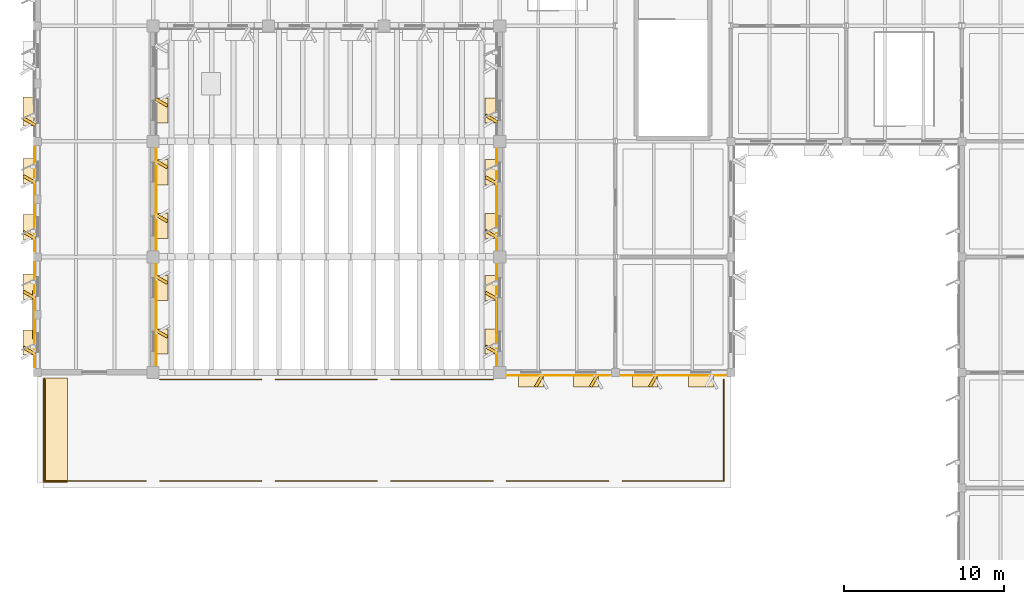
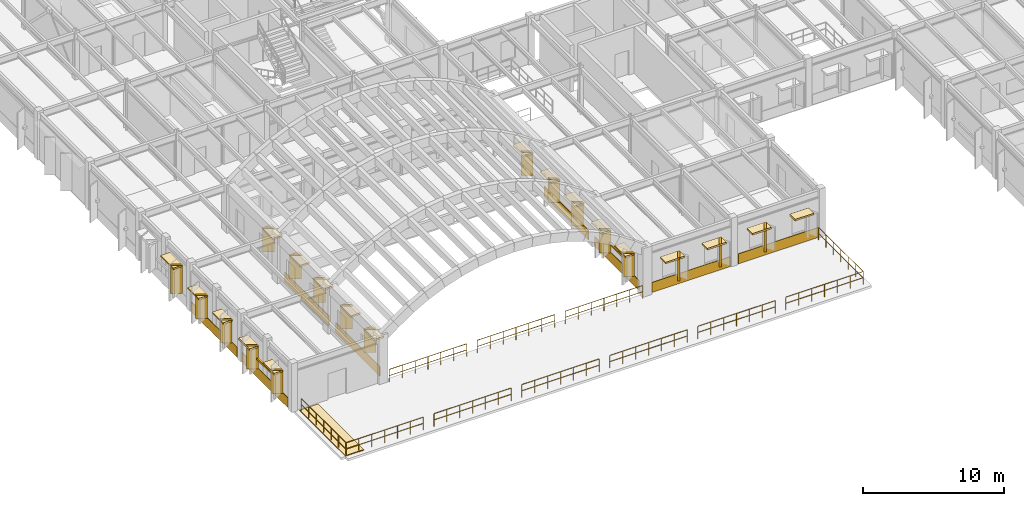
# One storey, part 70 of 85: 46 coverings, 11 railings, 2 shading devices.
"""IFC4 building model written with IfcOpenShell, lengths in metres."""

from ifc_helpers import new_model, si_unit, direction, frame, frame_2d, origin, origin_2d, place, context, subcontext, project, spatial, polyline, rectangle, circle, outline, extrude, material, layer, layer_set, type_object, element, save


model = new_model("IFC4")

# Units and contexts
model_context = context("Model", 3, precision=1e-05, world=origin(), true_north=direction((0.0, 1.0)))
body_context = subcontext(model_context, "Body", "Model", "MODEL_VIEW")
ifc_project = project(units=[si_unit("LENGTHUNIT", "METRE"), si_unit("AREAUNIT", "SQUARE_METRE"), si_unit("VOLUMEUNIT", "CUBIC_METRE"), si_unit("PLANEANGLEUNIT", "RADIAN"), si_unit("MASSUNIT", "GRAM", prefix="KILO")], contexts=[model_context])

# Site, building, storey
site_placement = place(None, origin())
site = spatial("IfcSite", under=ifc_project, at=site_placement, CompositionType="ELEMENT")
building_placement = place(site_placement, origin())
building = spatial("IfcBuilding", under=site, at=building_placement, Name="Sillqori Civic Hall", CompositionType="ELEMENT")
storey_placement = place(building_placement, frame((0.0, 0.0, 9.89990234375)))
storey = spatial("IfcBuildingStorey", under=building, at=storey_placement, Name="L03", CompositionType="ELEMENT", Elevation=9.89990234375)

# Coverings
ifc_material_1 = material(Name="Cochabamba Honed Limestone Cladding", Category="masonry")
ifc_layer_1 = layer(ifc_material_1, 0.044921875)
ifc_layer_set_1 = layer_set([ifc_layer_1], Name="Cochabamba Honed Limestone Cladding")
covering_type_1 = type_object("IfcCoveringType", Name="COV-CLAD-LIME", PredefinedType="CLADDING", material=ifc_layer_set_1)
covering_1_placement = place(storey_placement, frame((7.010009765625, 21.929931640625, 0.0400390625), z_axis=(0.0, 0.0, 1.0), x_axis=(0.0, 1.0, 0.0)))
element("IfcCovering", 1, at=covering_1_placement, inside=storey, type_object=covering_type_1, Name="L03 limestone spandrel cladding L03-01-03-W", PredefinedType="CLADDING", context=body_context, shape_type="SweptSolid", body=[
    extrude(rectangle(XDim=6.5400390625, YDim=0.044921875, at=frame_2d((3.27001953125, 0.0))), origin(), (0.0, 0.0, 1.0), 0.860107421875),
])
covering_2_placement = place(storey_placement, frame((7.050048828125, 22.738037109375, 0.830078125), z_axis=(0.0, 0.0, 1.0), x_axis=(-0.865989465428, 0.500062241894, 0.0)))
element("IfcCovering", 2, at=covering_2_placement, inside=storey, type_object=covering_type_1, Name="Sawtooth limestone angled reveal cheek L03-01-03-W.1", PredefinedType="CLADDING", context=body_context, shape_type="SweptSolid", body=[
    extrude(rectangle(XDim=0.85009765625, YDim=0.179931640625, at=frame_2d((0.425048828125, 0.0))), origin(), (0.0, 0.0, 1.0), 2.0),
])
covering_3_placement = place(storey_placement, frame((6.669921875, 22.677978515625, 2.690185546875), z_axis=(0.0, 0.0, 1.0), x_axis=(0.0, 1.0, 0.0)))
element("IfcCovering", 3, at=covering_3_placement, inside=storey, type_object=covering_type_1, Name="Sawtooth limestone window hood L03-01-03-W.1", PredefinedType="CLADDING", context=body_context, shape_type="SweptSolid", body=[
    extrude(rectangle(XDim=1.56005859375, YDim=0.780029296875, at=frame_2d((0.780029296875, 0.0))), origin(), (0.0, 0.0, 1.0), 0.139892578125),
])
covering_4_placement = place(storey_placement, frame((7.050048828125, 26.221923828125, 0.830078125), z_axis=(0.0, 0.0, 1.0), x_axis=(-0.865989465428, 0.500062241894, 0.0)))
element("IfcCovering", 4, at=covering_4_placement, inside=storey, type_object=covering_type_1, Name="Sawtooth limestone angled reveal cheek L03-01-03-W.2", PredefinedType="CLADDING", context=body_context, shape_type="SweptSolid", body=[
    extrude(rectangle(XDim=0.85009765625, YDim=0.179931640625, at=frame_2d((0.425048828125, 0.0))), origin(), (0.0, 0.0, 1.0), 2.0),
])
covering_5_placement = place(storey_placement, frame((6.669921875, 26.162109375, 2.690185546875), z_axis=(0.0, 0.0, 1.0), x_axis=(0.0, 1.0, 0.0)))
element("IfcCovering", 5, at=covering_5_placement, inside=storey, type_object=covering_type_1, Name="Sawtooth limestone window hood L03-01-03-W.2", PredefinedType="CLADDING", context=body_context, shape_type="SweptSolid", body=[
    extrude(rectangle(XDim=1.559814453125, YDim=0.780029296875, at=frame_2d((0.77978515625, 0.0))), origin(), (0.0, 0.0, 1.0), 0.139892578125),
])
covering_6_placement = place(storey_placement, frame((14.590087890625, 28.344970703125, 0.0400390625), z_axis=(0.0, 0.0, 1.0), x_axis=(0.0, -1.0, 0.0)))
element("IfcCovering", 6, at=covering_6_placement, inside=storey, type_object=covering_type_1, Name="L03 limestone spandrel cladding L03-01-03-E", PredefinedType="CLADDING", context=body_context, shape_type="SweptSolid", body=[
    extrude(rectangle(XDim=6.2900390625, YDim=0.044921875, at=frame_2d((3.14501953125, 0.0))), origin(), (0.0, 0.0, 1.0), 0.860107421875),
])
covering_7_placement = place(storey_placement, frame((14.550048828125, 27.596923828125, 0.830078125), z_axis=(0.0, 0.0, 1.0), x_axis=(0.866113839764, -0.499846793097, 0.0)))
element("IfcCovering", 7, at=covering_7_placement, inside=storey, type_object=covering_type_1, Name="Sawtooth limestone angled reveal cheek L03-01-03-E.1", PredefinedType="CLADDING", context=body_context, shape_type="SweptSolid", body=[
    extrude(rectangle(XDim=0.849853515625, YDim=0.179931640625, at=frame_2d((0.4248046875, 0.0))), origin(), (0.0, 0.0, 1.0), 2.0),
])
covering_8_placement = place(storey_placement, frame((14.929931640625, 27.656982421875, 2.690185546875), z_axis=(0.0, 0.0, 1.0), x_axis=(0.0, -1.0, 0.0)))
element("IfcCovering", 8, at=covering_8_placement, inside=storey, type_object=covering_type_1, Name="Sawtooth limestone window hood L03-01-03-E.1", PredefinedType="CLADDING", context=body_context, shape_type="SweptSolid", body=[
    extrude(rectangle(XDim=1.56005859375, YDim=0.780029296875, at=frame_2d((0.780029296875, 0.0))), origin(), (0.0, 0.0, 1.0), 0.139892578125),
])
covering_9_placement = place(storey_placement, frame((14.550048828125, 24.242919921875, 0.830078125), z_axis=(0.0, 0.0, 1.0), x_axis=(0.866113839764, -0.499846793097, 0.0)))
element("IfcCovering", 9, at=covering_9_placement, inside=storey, type_object=covering_type_1, Name="Sawtooth limestone angled reveal cheek L03-01-03-E.2", PredefinedType="CLADDING", context=body_context, shape_type="SweptSolid", body=[
    extrude(rectangle(XDim=0.849853515625, YDim=0.179931640625, at=frame_2d((0.4248046875, 0.0))), origin(), (0.0, 0.0, 1.0), 2.0),
])
covering_10_placement = place(storey_placement, frame((14.929931640625, 24.302978515625, 2.690185546875), z_axis=(0.0, 0.0, 1.0), x_axis=(0.0, -1.0, 0.0)))
element("IfcCovering", 10, at=covering_10_placement, inside=storey, type_object=covering_type_1, Name="Sawtooth limestone window hood L03-01-03-E.2", PredefinedType="CLADDING", context=body_context, shape_type="SweptSolid", body=[
    extrude(rectangle(XDim=1.56005859375, YDim=0.780029296875, at=frame_2d((0.780029296875, 0.0))), origin(), (0.0, 0.0, 1.0), 0.139892578125),
])
covering_11_placement = place(storey_placement, frame((7.010009765625, 29.1298828125, 0.0400390625), z_axis=(0.0, 0.0, 1.0), x_axis=(0.0, 1.0, 0.0)))
element("IfcCovering", 11, at=covering_11_placement, inside=storey, type_object=covering_type_1, Name="L03 limestone spandrel cladding L03-01-04-W", PredefinedType="CLADDING", context=body_context, shape_type="SweptSolid", body=[
    extrude(rectangle(XDim=6.5400390625, YDim=0.044921875, at=frame_2d((3.27001953125, 0.0))), origin(), (0.0, 0.0, 1.0), 0.860107421875),
])
covering_12_placement = place(storey_placement, frame((7.050048828125, 29.93798828125, 0.830078125), z_axis=(0.0, 0.0, 1.0), x_axis=(-0.865989465428, 0.500062241894, 0.0)))
element("IfcCovering", 12, at=covering_12_placement, inside=storey, type_object=covering_type_1, Name="Sawtooth limestone angled reveal cheek L03-01-04-W.1", PredefinedType="CLADDING", context=body_context, shape_type="SweptSolid", body=[
    extrude(rectangle(XDim=0.85009765625, YDim=0.179931640625, at=frame_2d((0.425048828125, 0.0))), origin(), (0.0, 0.0, 1.0), 2.0),
])
covering_13_placement = place(storey_placement, frame((6.669921875, 29.8779296875, 2.690185546875), z_axis=(0.0, 0.0, 1.0), x_axis=(0.0, 1.0, 0.0)))
element("IfcCovering", 13, at=covering_13_placement, inside=storey, type_object=covering_type_1, Name="Sawtooth limestone window hood L03-01-04-W.1", PredefinedType="CLADDING", context=body_context, shape_type="SweptSolid", body=[
    extrude(rectangle(XDim=1.56005859375, YDim=0.780029296875, at=frame_2d((0.780029296875, 0.0))), origin(), (0.0, 0.0, 1.0), 0.139892578125),
])
covering_14_placement = place(storey_placement, frame((7.050048828125, 33.422119140625, 0.830078125), z_axis=(0.0, 0.0, 1.0), x_axis=(-0.866113839764, 0.499846793097, 0.0)))
element("IfcCovering", 14, at=covering_14_placement, inside=storey, type_object=covering_type_1, Name="Sawtooth limestone angled reveal cheek L03-01-04-W.2", PredefinedType="CLADDING", context=body_context, shape_type="SweptSolid", body=[
    extrude(rectangle(XDim=0.849853515625, YDim=0.179931640625, at=frame_2d((0.4248046875, 0.0))), origin(), (0.0, 0.0, 1.0), 2.0),
])
covering_15_placement = place(storey_placement, frame((6.669921875, 33.362060546875, 2.690185546875), z_axis=(0.0, 0.0, 1.0), x_axis=(0.0, 1.0, 0.0)))
element("IfcCovering", 15, at=covering_15_placement, inside=storey, type_object=covering_type_1, Name="Sawtooth limestone window hood L03-01-04-W.2", PredefinedType="CLADDING", context=body_context, shape_type="SweptSolid", body=[
    extrude(rectangle(XDim=1.56005859375, YDim=0.780029296875, at=frame_2d((0.780029296875, 0.0))), origin(), (0.0, 0.0, 1.0), 0.139892578125),
])
covering_16_placement = place(storey_placement, frame((14.590087890625, 35.544921875, 0.0400390625), z_axis=(0.0, 0.0, 1.0), x_axis=(0.0, -1.0, 0.0)))
element("IfcCovering", 16, at=covering_16_placement, inside=storey, type_object=covering_type_1, Name="L03 limestone spandrel cladding L03-01-04-E", PredefinedType="CLADDING", context=body_context, shape_type="SweptSolid", body=[
    extrude(rectangle(XDim=6.2900390625, YDim=0.044921875, at=frame_2d((3.14501953125, 0.0))), origin(), (0.0, 0.0, 1.0), 0.860107421875),
])
covering_17_placement = place(storey_placement, frame((14.550048828125, 34.797119140625, 0.830078125), z_axis=(0.0, 0.0, 1.0), x_axis=(0.865989465428, -0.500062241894, 0.0)))
element("IfcCovering", 17, at=covering_17_placement, inside=storey, type_object=covering_type_1, Name="Sawtooth limestone angled reveal cheek L03-01-04-E.1", PredefinedType="CLADDING", context=body_context, shape_type="SweptSolid", body=[
    extrude(rectangle(XDim=0.85009765625, YDim=0.179931640625, at=frame_2d((0.425048828125, 0.0))), origin(), (0.0, 0.0, 1.0), 2.0),
])
covering_18_placement = place(storey_placement, frame((14.929931640625, 34.85693359375, 2.690185546875), z_axis=(0.0, 0.0, 1.0), x_axis=(0.0, -1.0, 0.0)))
element("IfcCovering", 18, at=covering_18_placement, inside=storey, type_object=covering_type_1, Name="Sawtooth limestone window hood L03-01-04-E.1", PredefinedType="CLADDING", context=body_context, shape_type="SweptSolid", body=[
    extrude(rectangle(XDim=1.559814453125, YDim=0.780029296875, at=frame_2d((0.77978515625, 0.0))), origin(), (0.0, 0.0, 1.0), 0.139892578125),
])
covering_19_placement = place(storey_placement, frame((14.550048828125, 31.443115234375, 0.830078125), z_axis=(0.0, 0.0, 1.0), x_axis=(0.865989465428, -0.500062241894, 0.0)))
element("IfcCovering", 19, at=covering_19_placement, inside=storey, type_object=covering_type_1, Name="Sawtooth limestone angled reveal cheek L03-01-04-E.2", PredefinedType="CLADDING", context=body_context, shape_type="SweptSolid", body=[
    extrude(rectangle(XDim=0.85009765625, YDim=0.179931640625, at=frame_2d((0.425048828125, 0.0))), origin(), (0.0, 0.0, 1.0), 2.0),
])
covering_20_placement = place(storey_placement, frame((14.929931640625, 31.5029296875, 2.690185546875), z_axis=(0.0, 0.0, 1.0), x_axis=(0.0, -1.0, 0.0)))
element("IfcCovering", 20, at=covering_20_placement, inside=storey, type_object=covering_type_1, Name="Sawtooth limestone window hood L03-01-04-E.2", PredefinedType="CLADDING", context=body_context, shape_type="SweptSolid", body=[
    extrude(rectangle(XDim=1.559814453125, YDim=0.780029296875, at=frame_2d((0.77978515625, 0.0))), origin(), (0.0, 0.0, 1.0), 0.139892578125),
])
covering_21_placement = place(storey_placement, frame((7.050048828125, 37.012939453125, 0.830078125), z_axis=(0.0, 0.0, 1.0), x_axis=(-0.865989465428, 0.500062241894, 0.0)))
element("IfcCovering", 21, at=covering_21_placement, inside=storey, type_object=covering_type_1, Name="Sawtooth limestone angled reveal cheek L03-01-05-W.1", PredefinedType="CLADDING", context=body_context, shape_type="SweptSolid", body=[
    extrude(rectangle(XDim=0.85009765625, YDim=0.179931640625, at=frame_2d((0.425048828125, 0.0))), origin(), (0.0, 0.0, 1.0), 2.449951171875),
])
covering_22_placement = place(storey_placement, frame((6.669921875, 36.952880859375, 3.14013671875), z_axis=(0.0, 0.0, 1.0), x_axis=(0.0, 1.0, 0.0)))
element("IfcCovering", 22, at=covering_22_placement, inside=storey, type_object=covering_type_1, Name="Sawtooth limestone window hood L03-01-05-W.1", PredefinedType="CLADDING", context=body_context, shape_type="SweptSolid", body=[
    extrude(rectangle(XDim=1.81005859375, YDim=0.780029296875, at=frame_2d((0.905029296875, 0.0))), origin(), (0.0, 0.0, 1.0), 0.139892578125),
])
covering_23_placement = place(storey_placement, frame((14.550048828125, 38.64306640625, 0.830078125), z_axis=(0.0, 0.0, 1.0), x_axis=(0.865989465428, -0.500062241894, 0.0)))
element("IfcCovering", 23, at=covering_23_placement, inside=storey, type_object=covering_type_1, Name="Sawtooth limestone angled reveal cheek L03-01-05-E.2", PredefinedType="CLADDING", context=body_context, shape_type="SweptSolid", body=[
    extrude(rectangle(XDim=0.85009765625, YDim=0.179931640625, at=frame_2d((0.425048828125, 0.0))), origin(), (0.0, 0.0, 1.0), 2.0),
])
covering_24_placement = place(storey_placement, frame((14.929931640625, 38.702880859375, 2.690185546875), z_axis=(0.0, 0.0, 1.0), x_axis=(0.0, -1.0, 0.0)))
element("IfcCovering", 24, at=covering_24_placement, inside=storey, type_object=covering_type_1, Name="Sawtooth limestone window hood L03-01-05-E.2", PredefinedType="CLADDING", context=body_context, shape_type="SweptSolid", body=[
    extrude(rectangle(XDim=1.559814453125, YDim=0.780029296875, at=frame_2d((0.77978515625, 0.0))), origin(), (0.0, 0.0, 1.0), 0.139892578125),
])
covering_25_placement = place(storey_placement, frame((42.8701171875, 21.409912109375, 0.0400390625), z_axis=(0.0, 0.0, 1.0), x_axis=(-1.0, 0.0, 0.0)))
element("IfcCovering", 25, at=covering_25_placement, inside=storey, type_object=covering_type_1, Name="L03 limestone spandrel cladding L03-05-03-S", PredefinedType="CLADDING", context=body_context, shape_type="SweptSolid", body=[
    extrude(rectangle(XDim=6.4150390625, YDim=0.044921875, at=frame_2d((3.20751953125, 0.0))), origin(), (0.0, 0.0, 1.0), 0.860107421875),
])
covering_26_placement = place(storey_placement, frame((42.092041015625, 21.449951171875, 0.830078125), z_axis=(0.0, 0.0, 1.0), x_axis=(-0.500062241894, -0.865989465428, 0.0)))
element("IfcCovering", 26, at=covering_26_placement, inside=storey, type_object=covering_type_1, Name="Sawtooth limestone angled reveal cheek L03-05-03-S.1", PredefinedType="CLADDING", context=body_context, shape_type="SweptSolid", body=[
    extrude(rectangle(XDim=0.85009765625, YDim=0.179931640625, at=frame_2d((0.425048828125, 0.0))), origin(), (0.0, 0.0, 1.0), 2.0),
])
covering_27_placement = place(storey_placement, frame((42.152099609375, 21.070068359375, 2.690185546875), z_axis=(0.0, 0.0, 1.0), x_axis=(-1.0, 0.0, 0.0)))
element("IfcCovering", 27, at=covering_27_placement, inside=storey, type_object=covering_type_1, Name="Sawtooth limestone window hood L03-05-03-S.1", PredefinedType="CLADDING", context=body_context, shape_type="SweptSolid", body=[
    extrude(rectangle(XDim=1.56005859375, YDim=0.780029296875, at=frame_2d((0.780029296875, 0.0))), origin(), (0.0, 0.0, 1.0), 0.139892578125),
])
covering_28_placement = place(storey_placement, frame((38.673095703125, 21.449951171875, 0.830078125), z_axis=(0.0, 0.0, 1.0), x_axis=(-0.500062241894, -0.865989465428, 0.0)))
element("IfcCovering", 28, at=covering_28_placement, inside=storey, type_object=covering_type_1, Name="Sawtooth limestone angled reveal cheek L03-05-03-S.2", PredefinedType="CLADDING", context=body_context, shape_type="SweptSolid", body=[
    extrude(rectangle(XDim=0.85009765625, YDim=0.179931640625, at=frame_2d((0.425048828125, 0.0))), origin(), (0.0, 0.0, 1.0), 2.0),
])
covering_29_placement = place(storey_placement, frame((38.73291015625, 21.070068359375, 2.690185546875), z_axis=(0.0, 0.0, 1.0), x_axis=(-1.0, 0.0, 0.0)))
element("IfcCovering", 29, at=covering_29_placement, inside=storey, type_object=covering_type_1, Name="Sawtooth limestone window hood L03-05-03-S.2", PredefinedType="CLADDING", context=body_context, shape_type="SweptSolid", body=[
    extrude(rectangle(XDim=1.559814453125, YDim=0.780029296875, at=frame_2d((0.77978515625, 0.0))), origin(), (0.0, 0.0, 1.0), 0.139892578125),
])
covering_30_placement = place(storey_placement, frame((35.81005859375, 22.054931640625, 0.0400390625), z_axis=(0.0, 0.0, 1.0), x_axis=(0.0, 1.0, 0.0)))
element("IfcCovering", 30, at=covering_30_placement, inside=storey, type_object=covering_type_1, Name="L03 limestone spandrel cladding L03-05-03-W", PredefinedType="CLADDING", context=body_context, shape_type="SweptSolid", body=[
    extrude(rectangle(XDim=6.2900390625, YDim=0.044921875, at=frame_2d((3.14501953125, 0.0))), origin(), (0.0, 0.0, 1.0), 0.860107421875),
])
covering_31_placement = place(storey_placement, frame((35.85009765625, 22.802978515625, 0.830078125), z_axis=(0.0, 0.0, 1.0), x_axis=(-0.865989465428, 0.500062241894, 0.0)))
element("IfcCovering", 31, at=covering_31_placement, inside=storey, type_object=covering_type_1, Name="Sawtooth limestone angled reveal cheek L03-05-03-W.1", PredefinedType="CLADDING", context=body_context, shape_type="SweptSolid", body=[
    extrude(rectangle(XDim=0.85009765625, YDim=0.179931640625, at=frame_2d((0.425048828125, 0.0))), origin(), (0.0, 0.0, 1.0), 2.0),
])
covering_32_placement = place(storey_placement, frame((35.469970703125, 22.742919921875, 2.690185546875), z_axis=(0.0, 0.0, 1.0), x_axis=(0.0, 1.0, 0.0)))
element("IfcCovering", 32, at=covering_32_placement, inside=storey, type_object=covering_type_1, Name="Sawtooth limestone window hood L03-05-03-W.1", PredefinedType="CLADDING", context=body_context, shape_type="SweptSolid", body=[
    extrude(rectangle(XDim=1.56005859375, YDim=0.780029296875, at=frame_2d((0.780029296875, 0.0))), origin(), (0.0, 0.0, 1.0), 0.139892578125),
])
covering_33_placement = place(storey_placement, frame((35.85009765625, 26.156982421875, 0.830078125), z_axis=(0.0, 0.0, 1.0), x_axis=(-0.865989465428, 0.500062241894, 0.0)))
element("IfcCovering", 33, at=covering_33_placement, inside=storey, type_object=covering_type_1, Name="Sawtooth limestone angled reveal cheek L03-05-03-W.2", PredefinedType="CLADDING", context=body_context, shape_type="SweptSolid", body=[
    extrude(rectangle(XDim=0.85009765625, YDim=0.179931640625, at=frame_2d((0.425048828125, 0.0))), origin(), (0.0, 0.0, 1.0), 2.0),
])
covering_34_placement = place(storey_placement, frame((35.469970703125, 26.096923828125, 2.690185546875), z_axis=(0.0, 0.0, 1.0), x_axis=(0.0, 1.0, 0.0)))
element("IfcCovering", 34, at=covering_34_placement, inside=storey, type_object=covering_type_1, Name="Sawtooth limestone window hood L03-05-03-W.2", PredefinedType="CLADDING", context=body_context, shape_type="SweptSolid", body=[
    extrude(rectangle(XDim=1.56005859375, YDim=0.780029296875, at=frame_2d((0.780029296875, 0.0))), origin(), (0.0, 0.0, 1.0), 0.139892578125),
])
covering_35_placement = place(storey_placement, frame((35.81005859375, 29.2548828125, 0.0400390625), z_axis=(0.0, 0.0, 1.0), x_axis=(0.0, 1.0, 0.0)))
element("IfcCovering", 35, at=covering_35_placement, inside=storey, type_object=covering_type_1, Name="L03 limestone spandrel cladding L03-05-04-W", PredefinedType="CLADDING", context=body_context, shape_type="SweptSolid", body=[
    extrude(rectangle(XDim=6.2900390625, YDim=0.044921875, at=frame_2d((3.14501953125, 0.0))), origin(), (0.0, 0.0, 1.0), 0.860107421875),
])
covering_36_placement = place(storey_placement, frame((35.85009765625, 30.0029296875, 0.830078125), z_axis=(0.0, 0.0, 1.0), x_axis=(-0.865989465428, 0.500062241894, 0.0)))
element("IfcCovering", 36, at=covering_36_placement, inside=storey, type_object=covering_type_1, Name="Sawtooth limestone angled reveal cheek L03-05-04-W.1", PredefinedType="CLADDING", context=body_context, shape_type="SweptSolid", body=[
    extrude(rectangle(XDim=0.85009765625, YDim=0.179931640625, at=frame_2d((0.425048828125, 0.0))), origin(), (0.0, 0.0, 1.0), 2.0),
])
covering_37_placement = place(storey_placement, frame((35.469970703125, 29.943115234375, 2.690185546875), z_axis=(0.0, 0.0, 1.0), x_axis=(0.0, 1.0, 0.0)))
element("IfcCovering", 37, at=covering_37_placement, inside=storey, type_object=covering_type_1, Name="Sawtooth limestone window hood L03-05-04-W.1", PredefinedType="CLADDING", context=body_context, shape_type="SweptSolid", body=[
    extrude(rectangle(XDim=1.559814453125, YDim=0.780029296875, at=frame_2d((0.77978515625, 0.0))), origin(), (0.0, 0.0, 1.0), 0.139892578125),
])
covering_38_placement = place(storey_placement, frame((35.85009765625, 33.35693359375, 0.830078125), z_axis=(0.0, 0.0, 1.0), x_axis=(-0.865989465428, 0.500062241894, 0.0)))
element("IfcCovering", 38, at=covering_38_placement, inside=storey, type_object=covering_type_1, Name="Sawtooth limestone angled reveal cheek L03-05-04-W.2", PredefinedType="CLADDING", context=body_context, shape_type="SweptSolid", body=[
    extrude(rectangle(XDim=0.85009765625, YDim=0.179931640625, at=frame_2d((0.425048828125, 0.0))), origin(), (0.0, 0.0, 1.0), 2.0),
])
covering_39_placement = place(storey_placement, frame((35.469970703125, 33.297119140625, 2.690185546875), z_axis=(0.0, 0.0, 1.0), x_axis=(0.0, 1.0, 0.0)))
element("IfcCovering", 39, at=covering_39_placement, inside=storey, type_object=covering_type_1, Name="Sawtooth limestone window hood L03-05-04-W.2", PredefinedType="CLADDING", context=body_context, shape_type="SweptSolid", body=[
    extrude(rectangle(XDim=1.559814453125, YDim=0.780029296875, at=frame_2d((0.77978515625, 0.0))), origin(), (0.0, 0.0, 1.0), 0.139892578125),
])
covering_40_placement = place(storey_placement, frame((35.85009765625, 37.202880859375, 0.830078125), z_axis=(0.0, 0.0, 1.0), x_axis=(-0.865989465428, 0.500062241894, 0.0)))
element("IfcCovering", 40, at=covering_40_placement, inside=storey, type_object=covering_type_1, Name="Sawtooth limestone angled reveal cheek L03-05-05-W.1", PredefinedType="CLADDING", context=body_context, shape_type="SweptSolid", body=[
    extrude(rectangle(XDim=0.85009765625, YDim=0.179931640625, at=frame_2d((0.425048828125, 0.0))), origin(), (0.0, 0.0, 1.0), 2.0),
])
covering_41_placement = place(storey_placement, frame((35.469970703125, 37.14306640625, 2.690185546875), z_axis=(0.0, 0.0, 1.0), x_axis=(0.0, 1.0, 0.0)))
element("IfcCovering", 41, at=covering_41_placement, inside=storey, type_object=covering_type_1, Name="Sawtooth limestone window hood L03-05-05-W.1", PredefinedType="CLADDING", context=body_context, shape_type="SweptSolid", body=[
    extrude(rectangle(XDim=1.559814453125, YDim=0.780029296875, at=frame_2d((0.77978515625, 0.0))), origin(), (0.0, 0.0, 1.0), 0.139892578125),
])
covering_42_placement = place(storey_placement, frame((50.070068359375, 21.409912109375, 0.0400390625), z_axis=(0.0, 0.0, 1.0), x_axis=(-1.0, 0.0, 0.0)))
element("IfcCovering", 42, at=covering_42_placement, inside=storey, type_object=covering_type_1, Name="L03 limestone spandrel cladding L03-06-03-S", PredefinedType="CLADDING", context=body_context, shape_type="SweptSolid", body=[
    extrude(rectangle(XDim=6.5400390625, YDim=0.044921875, at=frame_2d((3.27001953125, 0.0))), origin(), (0.0, 0.0, 1.0), 0.860107421875),
])
covering_43_placement = place(storey_placement, frame((49.322021484375, 21.070068359375, 2.690185546875), z_axis=(0.0, 0.0, 1.0), x_axis=(-1.0, 0.0, 0.0)))
element("IfcCovering", 43, at=covering_43_placement, inside=storey, type_object=covering_type_1, Name="Sawtooth limestone window hood L03-06-03-S.1", PredefinedType="CLADDING", context=body_context, shape_type="SweptSolid", body=[
    extrude(rectangle(XDim=1.56005859375, YDim=0.780029296875, at=frame_2d((0.780029296875, 0.0))), origin(), (0.0, 0.0, 1.0), 0.139892578125),
])
covering_44_placement = place(storey_placement, frame((45.778076171875, 21.449951171875, 0.830078125), z_axis=(0.0, 0.0, 1.0), x_axis=(-0.500062241894, -0.865989465428, 0.0)))
element("IfcCovering", 44, at=covering_44_placement, inside=storey, type_object=covering_type_1, Name="Sawtooth limestone angled reveal cheek L03-06-03-S.2", PredefinedType="CLADDING", context=body_context, shape_type="SweptSolid", body=[
    extrude(rectangle(XDim=0.85009765625, YDim=0.179931640625, at=frame_2d((0.425048828125, 0.0))), origin(), (0.0, 0.0, 1.0), 2.0),
])
covering_45_placement = place(storey_placement, frame((45.837890625, 21.070068359375, 2.690185546875), z_axis=(0.0, 0.0, 1.0), x_axis=(-1.0, 0.0, 0.0)))
element("IfcCovering", 45, at=covering_45_placement, inside=storey, type_object=covering_type_1, Name="Sawtooth limestone window hood L03-06-03-S.2", PredefinedType="CLADDING", context=body_context, shape_type="SweptSolid", body=[
    extrude(rectangle(XDim=1.559814453125, YDim=0.780029296875, at=frame_2d((0.77978515625, 0.0))), origin(), (0.0, 0.0, 1.0), 0.139892578125),
])
ifc_material_2 = material(Name="Extensive Andean Sedum Roof Substrate", Category="earth")
ifc_layer_2 = layer(ifc_material_2, 0.080078125)
ifc_layer_set_2 = layer_set([ifc_layer_2], Name="Extensive Andean Sedum Roof Substrate")
covering_type_2 = type_object("IfcCoveringType", Name="COV-ROOF-GRN", PredefinedType="ROOFING", material=ifc_layer_set_2)
covering_46_placement = place(storey_placement, origin())
element("IfcCovering", 46, at=covering_46_placement, inside=storey, type_object=covering_type_2, Name="South Chamber Step Terrace 2 planted planter bed", PredefinedType="ROOFING", context=body_context, shape_type="SweptSolid", body=[
    extrude(outline(polyline([(7.550048828125, 14.75), (9.050048828125, 14.75), (9.050048828125, 21.25), (7.550048828125, 21.25), (7.550048828125, 14.75)])), origin(), (0.0, 0.0, 1.0), 0.080078125),
])

# Railings
ifc_material_3 = material(Name="Stainless Steel 316 and Laminated Balustrade", Category="steel")
ifc_layer_3 = layer(ifc_material_3, 0.06005859375)
ifc_layer_set_3 = layer_set([ifc_layer_3], Name="Stainless Steel 316 and Laminated Balustrade")
railing_type = type_object("IfcRailingType", Name="RLG-TERR-112", PredefinedType="GUARDRAIL", material=ifc_layer_set_3)
railing_placement = place(storey_placement, frame((7.639892578125, 14.840087890625, 0.0)))
element("IfcRailing", 47, at=railing_placement, inside=storey, type_object=railing_type, Name="South Chamber Step Terrace 2 perimeter guard S-01", PredefinedType="GUARDRAIL", context=body_context, shape_type="SweptSolid", body=[
    extrude(circle(Radius=0.02392578125, at=origin_2d()), frame((0.0, 0.0, 1.09619140625), z_axis=(1.0, 0.0, 0.0), x_axis=(0.0, 1.0, 0.0)), (0.0, 0.0, 1.0), 6.320068359375),
    extrude(circle(Radius=0.02392578125, at=origin_2d()), frame((0.0, 0.0, 0.56005859375), z_axis=(1.0, 0.0, 0.0), x_axis=(0.0, 1.0, 0.0)), (0.0, 0.0, 1.0), 6.320068359375),
    extrude(circle(Radius=0.02099609375, at=origin_2d()), origin(), (0.0, 0.0, 1.0), 1.072021484375),
    extrude(circle(Radius=0.02099609375, at=origin_2d()), frame((1.05322265625, 0.0, 0.0)), (0.0, 0.0, 1.0), 1.072021484375),
    extrude(circle(Radius=0.02099609375, at=origin_2d()), frame((2.106689453125, 0.0, 0.0)), (0.0, 0.0, 1.0), 1.072021484375),
    extrude(circle(Radius=0.02099609375, at=origin_2d()), frame((3.16015625, 0.0, 0.0)), (0.0, 0.0, 1.0), 1.072021484375),
    extrude(circle(Radius=0.02099609375, at=origin_2d()), frame((4.21337890625, 0.0, 0.0)), (0.0, 0.0, 1.0), 1.072021484375),
    extrude(circle(Radius=0.02099609375, at=origin_2d()), frame((5.2666015625, 0.0, 0.0)), (0.0, 0.0, 1.0), 1.072021484375),
    extrude(circle(Radius=0.02099609375, at=origin_2d()), frame((6.320068359375, 0.0, 0.0)), (0.0, 0.0, 1.0), 1.072021484375),
])
for number, where, name in (
    (48, (14.840087890625, 14.840087890625, 0.0), "South Chamber Step Terrace 2 perimeter guard S-02"),
    (49, (14.840087890625, 21.159912109375, 0.0), "South Chamber Step Terrace 2 perimeter guard N-03"),
):
    element("IfcRailing", number, at=place(storey_placement, frame(where)), inside=storey, type_object=railing_type, Name=name, PredefinedType="GUARDRAIL", context=body_context, shape_type="SweptSolid", body=[
        extrude(circle(Radius=0.02392578125, at=origin_2d()), frame((0.0, 0.0, 1.09619140625), z_axis=(1.0, 0.0, 0.0), x_axis=(0.0, 1.0, 0.0)), (0.0, 0.0, 1.0), 6.31982421875),
        extrude(circle(Radius=0.02392578125, at=origin_2d()), frame((0.0, 0.0, 0.56005859375), z_axis=(1.0, 0.0, 0.0), x_axis=(0.0, 1.0, 0.0)), (0.0, 0.0, 1.0), 6.31982421875),
        extrude(circle(Radius=0.02099609375, at=origin_2d()), origin(), (0.0, 0.0, 1.0), 1.072021484375),
        extrude(circle(Radius=0.02099609375, at=origin_2d()), frame((1.05322265625, 0.0, 0.0)), (0.0, 0.0, 1.0), 1.072021484375),
        extrude(circle(Radius=0.02099609375, at=origin_2d()), frame((2.106689453125, 0.0, 0.0)), (0.0, 0.0, 1.0), 1.072021484375),
        extrude(circle(Radius=0.02099609375, at=origin_2d()), frame((3.159912109375, 0.0, 0.0)), (0.0, 0.0, 1.0), 1.072021484375),
        extrude(circle(Radius=0.02099609375, at=origin_2d()), frame((4.213134765625, 0.0, 0.0)), (0.0, 0.0, 1.0), 1.072021484375),
        extrude(circle(Radius=0.02099609375, at=origin_2d()), frame((5.2666015625, 0.0, 0.0)), (0.0, 0.0, 1.0), 1.072021484375),
        extrude(circle(Radius=0.02099609375, at=origin_2d()), frame((6.31982421875, 0.0, 0.0)), (0.0, 0.0, 1.0), 1.072021484375),
    ])
for number, where, name in (
    (50, (22.0400390625, 14.840087890625, 0.0), "South Chamber Step Terrace 2 perimeter guard S-04"),
    (51, (22.0400390625, 21.159912109375, 0.0), "South Chamber Step Terrace 2 perimeter guard N-05"),
    (52, (29.239990234375, 14.840087890625, 0.0), "South Chamber Step Terrace 2 perimeter guard S-06"),
    (53, (29.239990234375, 21.159912109375, 0.0), "South Chamber Step Terrace 2 perimeter guard N-07"),
    (54, (36.43994140625, 14.840087890625, 0.0), "South Chamber Step Terrace 2 perimeter guard S-08"),
    (55, (43.639892578125, 14.840087890625, 0.0), "South Chamber Step Terrace 2 perimeter guard S-09"),
):
    element("IfcRailing", number, at=place(storey_placement, frame(where)), inside=storey, type_object=railing_type, Name=name, PredefinedType="GUARDRAIL", context=body_context, shape_type="SweptSolid", body=[
        extrude(circle(Radius=0.02392578125, at=origin_2d()), frame((0.0, 0.0, 1.09619140625), z_axis=(1.0, 0.0, 0.0), x_axis=(0.0, 1.0, 0.0)), (0.0, 0.0, 1.0), 6.320068359375),
        extrude(circle(Radius=0.02392578125, at=origin_2d()), frame((0.0, 0.0, 0.56005859375), z_axis=(1.0, 0.0, 0.0), x_axis=(0.0, 1.0, 0.0)), (0.0, 0.0, 1.0), 6.320068359375),
        extrude(circle(Radius=0.02099609375, at=origin_2d()), origin(), (0.0, 0.0, 1.0), 1.072021484375),
        extrude(circle(Radius=0.02099609375, at=origin_2d()), frame((1.05322265625, 0.0, 0.0)), (0.0, 0.0, 1.0), 1.072021484375),
        extrude(circle(Radius=0.02099609375, at=origin_2d()), frame((2.106689453125, 0.0, 0.0)), (0.0, 0.0, 1.0), 1.072021484375),
        extrude(circle(Radius=0.02099609375, at=origin_2d()), frame((3.16015625, 0.0, 0.0)), (0.0, 0.0, 1.0), 1.072021484375),
        extrude(circle(Radius=0.02099609375, at=origin_2d()), frame((4.21337890625, 0.0, 0.0)), (0.0, 0.0, 1.0), 1.072021484375),
        extrude(circle(Radius=0.02099609375, at=origin_2d()), frame((5.2666015625, 0.0, 0.0)), (0.0, 0.0, 1.0), 1.072021484375),
        extrude(circle(Radius=0.02099609375, at=origin_2d()), frame((6.320068359375, 0.0, 0.0)), (0.0, 0.0, 1.0), 1.072021484375),
    ])
for number, where, name in (
    (56, (7.639892578125, 14.840087890625, 0.0), "South Chamber Step Terrace 2 perimeter guard W-10"),
    (57, (49.9599609375, 14.840087890625, 0.0), "South Chamber Step Terrace 2 perimeter guard E-11"),
):
    element("IfcRailing", number, at=place(storey_placement, frame(where)), inside=storey, type_object=railing_type, Name=name, PredefinedType="GUARDRAIL", context=body_context, shape_type="SweptSolid", body=[
        extrude(circle(Radius=0.02392578125, at=origin_2d()), frame((0.0, 0.0, 1.09619140625), z_axis=(0.0, 1.0, 0.0), x_axis=(-1.0, 0.0, 0.0)), (0.0, 0.0, 1.0), 6.31982421875),
        extrude(circle(Radius=0.02392578125, at=origin_2d()), frame((0.0, 0.0, 0.56005859375), z_axis=(0.0, 1.0, 0.0), x_axis=(-1.0, 0.0, 0.0)), (0.0, 0.0, 1.0), 6.31982421875),
        extrude(circle(Radius=0.02099609375, at=origin_2d()), origin(), (0.0, 0.0, 1.0), 1.072021484375),
        extrude(circle(Radius=0.02099609375, at=origin_2d()), frame((0.0, 1.05322265625, 0.0)), (0.0, 0.0, 1.0), 1.072021484375),
        extrude(circle(Radius=0.02099609375, at=origin_2d()), frame((0.0, 2.106689453125, 0.0)), (0.0, 0.0, 1.0), 1.072021484375),
        extrude(circle(Radius=0.02099609375, at=origin_2d()), frame((0.0, 3.159912109375, 0.0)), (0.0, 0.0, 1.0), 1.072021484375),
        extrude(circle(Radius=0.02099609375, at=origin_2d()), frame((0.0, 4.213134765625, 0.0)), (0.0, 0.0, 1.0), 1.072021484375),
        extrude(circle(Radius=0.02099609375, at=origin_2d()), frame((0.0, 5.2666015625, 0.0)), (0.0, 0.0, 1.0), 1.072021484375),
        extrude(circle(Radius=0.02099609375, at=origin_2d()), frame((0.0, 6.31982421875, 0.0)), (0.0, 0.0, 1.0), 1.072021484375),
    ])

# Shading devices
ifc_material_4 = material(Name="Anodized Aluminium Solar Control Louvre", Category="aluminium")
shading_device_type_1 = type_object("IfcShadingDeviceType", Name="SHD-CLAU-220", PredefinedType="SHUTTER", material=ifc_material_4)
shading_device_1_placement = place(storey_placement, frame((35.77001953125, 25.199951171875, 1.60498046875), z_axis=(0.0, 0.0, 1.0), x_axis=(0.0, 1.0, 0.0)))
element("IfcShadingDevice", 58, at=shading_device_1_placement, inside=storey, type_object=shading_device_type_1, Name="L03 pierced claustra screen L03-05-03-W", PredefinedType="SHUTTER", context=body_context, shape_type="SweptSolid", body=[
    extrude(rectangle(XDim=2.199951171875, YDim=0.159912109375, at=origin_2d()), origin(), (0.0, 0.0, 1.0), 0.139892578125),
])
shading_device_type_2 = type_object("IfcShadingDeviceType", Name="SHD-CLAU-300", PredefinedType="SHUTTER", material=ifc_material_4)
shading_device_2_placement = place(storey_placement, frame((6.969970703125, 25.199951171875, 1.65869140625), z_axis=(0.0, 0.0, 1.0), x_axis=(0.0, 1.0, 0.0)))
element("IfcShadingDevice", 59, at=shading_device_2_placement, inside=storey, type_object=shading_device_type_2, Name="L03 pierced claustra screen L03-01-03-W", PredefinedType="SHUTTER", context=body_context, shape_type="SweptSolid", body=[
    extrude(rectangle(XDim=3.0, YDim=0.159912109375, at=origin_2d()), origin(), (0.0, 0.0, 1.0), 0.14990234375),
])

save(model, "model.ifc")
